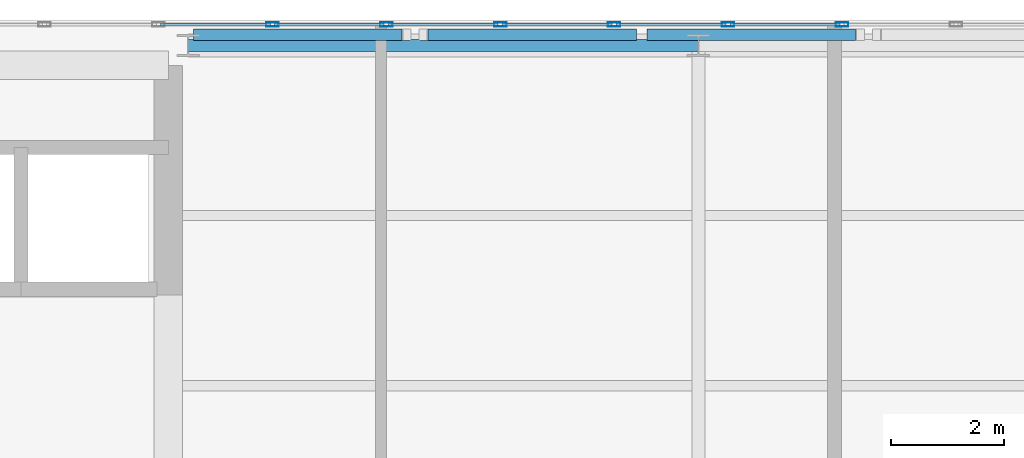
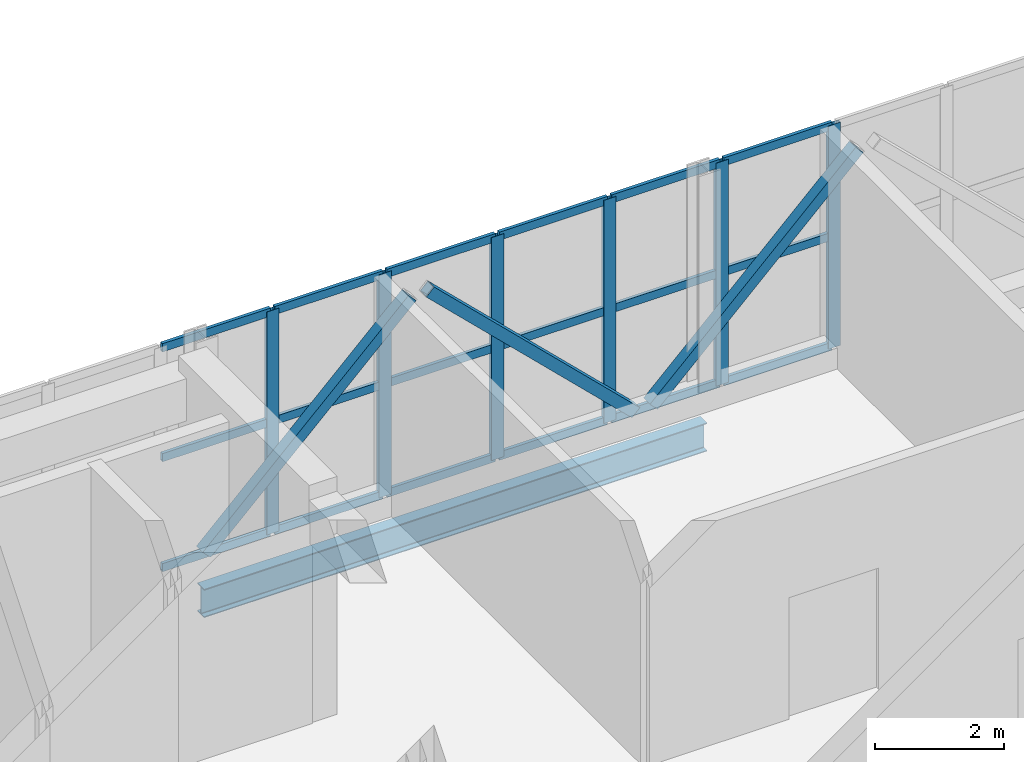
# One storey, part 11 of 21: 27 members, 1 beam, 1 element without a shape of its own.
"""IFC4 building model written with IfcOpenShell, lengths in metres."""

from ifc_helpers import new_model, si_unit, direction, frame, origin, origin_2d, place, context, subcontext, project, spatial, hollow_rectangle, i_section, extrude, material, layer, layer_set, material_profile, profile_set, type_object, element, aggregate, save


model = new_model("IFC4")

# Units and contexts
model_context = context("Model", 3, precision=1e-05, world=origin(), true_north=direction((0.0, 1.0)))
body_context = subcontext(model_context, "Body", "Model", "MODEL_VIEW")
ifc_project = project(units=[si_unit("LENGTHUNIT", "METRE"), si_unit("AREAUNIT", "SQUARE_METRE"), si_unit("VOLUMEUNIT", "CUBIC_METRE"), si_unit("PLANEANGLEUNIT", "RADIAN"), si_unit("MASSUNIT", "GRAM", prefix="KILO")], contexts=[model_context])

# Site, building, storey
site_placement = place(None, origin())
site = spatial("IfcSite", under=ifc_project, at=site_placement, CompositionType="ELEMENT")
building_placement = place(site_placement, origin())
building = spatial("IfcBuilding", under=site, at=building_placement, Name="Mawjdan Bourse Tower", CompositionType="ELEMENT")
storey_placement = place(building_placement, frame((0.0, 0.0, 313.199951171875)))
storey = spatial("IfcBuildingStorey", under=building, at=storey_placement, Name="L77", CompositionType="ELEMENT", Elevation=313.199951171875)

# Members
ifc_material_1 = material(Name="Structural Steel S355", Category="steel")
ifc_material_profile_1 = material_profile(ifc_material_1, hollow_rectangle(XDim=0.199951171875, YDim=0.199951171875, WallThickness=0.010009765625, at=origin_2d()), Name="HSS200X200X10")
ifc_profile_set_1 = profile_set([ifc_material_profile_1], Name="Structural Steel S355")
member_type_1 = type_object("IfcMemberType", Name="BRC-HSS200X200X10", PredefinedType="BRACE", material=ifc_profile_set_1)
for number, where, z_axis, x_axis, name in (
    (1, (24.159912109375, 21.18994140625, 0.199951171875), (0.717762646976, 0.0, 0.696287859011), (0.0, 1.0, 0.0), "L77 Lantern Crown Braced Frame North Diagonal 1"),
    (2, (28.159912109375, 21.18994140625, 3.77001953125), (0.717762646976, 0.0, -0.696287859011), (0.0, 1.0, 0.0), "L77 Lantern Crown Braced Frame North Diagonal 2"),
    (3, (32.159912109375, 21.18994140625, 0.199951171875), (0.717762646976, 0.0, 0.696287859011), (0.0, 1.0, 0.0), "L77 Lantern Crown Braced Frame North Diagonal 3"),
):
    element("IfcMember", number, at=place(storey_placement, frame(where, z_axis=z_axis, x_axis=x_axis)), inside=storey, type_object=member_type_1, Name=name, PredefinedType="BRACE", context=body_context, shape_type="SweptSolid", body=[
        extrude(hollow_rectangle(XDim=0.199951171875, YDim=0.199951171875, WallThickness=0.010009765625, at=origin_2d()), origin(), (0.0, 0.0, 1.0), 5.127197265625),
    ])

# Curtain wall, members
ifc_material_2 = material(Name="Thermally Broken Aluminium and Solar Glass", Category="aluminium")
ifc_layer = layer(ifc_material_2, 0.219970703125)
ifc_layer_set = layer_set([ifc_layer], Name="Thermally Broken Aluminium and Solar Glass")
curtain_wall_type = type_object("IfcCurtainWallType", Name="CW-CRN", PredefinedType="USERDEFINED", material=ifc_layer_set)
curtain_wall_placement = place(storey_placement, origin())
curtain_wall = element("IfcCurtainWall", 4, at=curtain_wall_placement, inside=storey, type_object=curtain_wall_type, Name="L77 Lantern Crown North Curtain Wall", ObjectType="LANTERN GLAZED CROWN", PredefinedType="USERDEFINED")
ifc_material_3 = material(Name="Thermally Broken Anodised Aluminium", Category="aluminium")
ifc_material_profile_2 = material_profile(ifc_material_3, hollow_rectangle(XDim=0.074951171875, YDim=0.219970703125, WallThickness=0.0048828125, at=origin_2d()), Name="ALU-MUL-220X75")
ifc_profile_set_2 = profile_set([ifc_material_profile_2], Name="Thermally Broken Anodised Aluminium")
member_type_2 = type_object("IfcMemberType", Name="MUL-ALU-MUL-220X75", PredefinedType="MULLION", material=ifc_profile_set_2)
member_1_placement = place(storey_placement, frame((35.533447265625, 21.3701171875, 0.0), z_axis=(0.0, 0.0, 1.0), x_axis=(0.0, -1.0, 0.0)))
member_1 = element("IfcMember", 5, at=member_1_placement, type_object=member_type_2, Name="CW-CRN-L77-CRN-N mullion 8", PredefinedType="MULLION", context=body_context, shape_type="SweptSolid", body=[
    extrude(hollow_rectangle(XDim=0.074951171875, YDim=0.219970703125, WallThickness=0.0048828125, at=origin_2d()), origin(), (0.0, 0.0, 1.0), 4.219970703125),
])
member_2_placement = place(storey_placement, frame((33.52392578125, 21.3701171875, 0.0), z_axis=(0.0, 0.0, 1.0), x_axis=(0.0, -1.0, 0.0)))
member_2 = element("IfcMember", 6, at=member_2_placement, type_object=member_type_2, Name="CW-CRN-L77-CRN-N mullion 9", PredefinedType="MULLION", context=body_context, shape_type="SweptSolid", body=[
    extrude(hollow_rectangle(XDim=0.074951171875, YDim=0.219970703125, WallThickness=0.0048828125, at=origin_2d()), origin(), (0.0, 0.0, 1.0), 4.219970703125),
])
member_3_placement = place(storey_placement, frame((31.514404296875, 21.3701171875, 0.0), z_axis=(0.0, 0.0, 1.0), x_axis=(0.0, -1.0, 0.0)))
member_3 = element("IfcMember", 7, at=member_3_placement, type_object=member_type_2, Name="CW-CRN-L77-CRN-N mullion 10", PredefinedType="MULLION", context=body_context, shape_type="SweptSolid", body=[
    extrude(hollow_rectangle(XDim=0.074951171875, YDim=0.219970703125, WallThickness=0.0048828125, at=origin_2d()), origin(), (0.0, 0.0, 1.0), 4.219970703125),
])
member_4_placement = place(storey_placement, frame((29.5048828125, 21.3701171875, 0.0), z_axis=(0.0, 0.0, 1.0), x_axis=(0.0, -1.0, 0.0)))
member_4 = element("IfcMember", 8, at=member_4_placement, type_object=member_type_2, Name="CW-CRN-L77-CRN-N mullion 11", PredefinedType="MULLION", context=body_context, shape_type="SweptSolid", body=[
    extrude(hollow_rectangle(XDim=0.074951171875, YDim=0.219970703125, WallThickness=0.0048828125, at=origin_2d()), origin(), (0.0, 0.0, 1.0), 4.219970703125),
])
member_5_placement = place(storey_placement, frame((27.4951171875, 21.3701171875, 0.0), z_axis=(0.0, 0.0, 1.0), x_axis=(0.0, -1.0, 0.0)))
member_5 = element("IfcMember", 9, at=member_5_placement, type_object=member_type_2, Name="CW-CRN-L77-CRN-N mullion 12", PredefinedType="MULLION", context=body_context, shape_type="SweptSolid", body=[
    extrude(hollow_rectangle(XDim=0.074951171875, YDim=0.219970703125, WallThickness=0.0048828125, at=origin_2d()), origin(), (0.0, 0.0, 1.0), 4.219970703125),
])
member_6_placement = place(storey_placement, frame((25.485595703125, 21.3701171875, 0.0), z_axis=(0.0, 0.0, 1.0), x_axis=(0.0, -1.0, 0.0)))
member_6 = element("IfcMember", 10, at=member_6_placement, type_object=member_type_2, Name="CW-CRN-L77-CRN-N mullion 13", PredefinedType="MULLION", context=body_context, shape_type="SweptSolid", body=[
    extrude(hollow_rectangle(XDim=0.074951171875, YDim=0.219970703125, WallThickness=0.0048828125, at=origin_2d()), origin(), (0.0, 0.0, 1.0), 4.219970703125),
])

# Beam
ifc_material_profile_3 = material_profile(ifc_material_1, i_section(OverallWidth=0.2099609375, OverallDepth=0.537109375, WebThickness=0.010986328125, FlangeThickness=0.017333984375, FilletRadius=0.013916015625, at=origin_2d()), Name="W21X68")
ifc_profile_set_3 = profile_set([ifc_material_profile_3], Name="Structural Steel S355")
beam_type = type_object("IfcBeamType", Name="SPN-W21X68", PredefinedType="SPANDREL", material=ifc_profile_set_3)
beam_placement = place(storey_placement, frame((24.0, 21.0, -0.54833984375), z_axis=(1.0, 0.0, 0.0), x_axis=(0.0, 1.0, 0.0)))
element("IfcBeam", 11, at=beam_placement, inside=storey, type_object=beam_type, Name="L77 Perimeter Masonry-Shelf Spandrel 008", PredefinedType="SPANDREL", context=body_context, shape_type="SweptSolid", body=[
    extrude(i_section(OverallWidth=0.2099609375, OverallDepth=0.537109375, WebThickness=0.010986328125, FlangeThickness=0.017333984375, FilletRadius=0.013916015625, at=origin_2d()), origin(), (0.0, 0.0, 1.0), 9.0),
])

# Member
ifc_material_profile_4 = material_profile(ifc_material_3, hollow_rectangle(XDim=0.06005859375, YDim=0.155029296875, WallThickness=0.00390625, at=origin_2d()), Name="ALU-TRN-155X60")
ifc_profile_set_4 = profile_set([ifc_material_profile_4], Name="Thermally Broken Anodised Aluminium")
member_type_3 = type_object("IfcMemberType", Name="TRN-ALU-TRN-155X60", PredefinedType="USERDEFINED", material=ifc_profile_set_4)
member_7_placement = place(storey_placement, frame((35.495849609375, 21.3701171875, 0.030029296875), z_axis=(-1.0, 0.0, 0.0), x_axis=(0.0, -1.0, 0.0)))
member_7 = element("IfcMember", 12, at=member_7_placement, type_object=member_type_3, Name="CW-CRN-L77-CRN-N transom 8.1", ObjectType="TRANSOM", PredefinedType="USERDEFINED", context=body_context, shape_type="SweptSolid", body=[
    extrude(hollow_rectangle(XDim=0.06005859375, YDim=0.155029296875, WallThickness=0.00390625, at=origin_2d()), origin(), (0.0, 0.0, 1.0), 1.9345703125),
])

member_8_placement = place(storey_placement, frame((35.495849609375, 21.3701171875, 2.110107421875), z_axis=(-1.0, 0.0, 0.0), x_axis=(0.0, -1.0, 0.0)))
member_8 = element("IfcMember", 13, at=member_8_placement, type_object=member_type_3, Name="CW-CRN-L77-CRN-N transom 8.2", ObjectType="TRANSOM", PredefinedType="USERDEFINED", context=body_context, shape_type="SweptSolid", body=[
    extrude(hollow_rectangle(XDim=0.06005859375, YDim=0.155029296875, WallThickness=0.00390625, at=origin_2d()), origin(), (0.0, 0.0, 1.0), 1.9345703125),
])

member_9_placement = place(storey_placement, frame((35.495849609375, 21.3701171875, 4.18994140625), z_axis=(-1.0, 0.0, 0.0), x_axis=(0.0, -1.0, 0.0)))
member_9 = element("IfcMember", 14, at=member_9_placement, type_object=member_type_3, Name="CW-CRN-L77-CRN-N transom 8.3", ObjectType="TRANSOM", PredefinedType="USERDEFINED", context=body_context, shape_type="SweptSolid", body=[
    extrude(hollow_rectangle(XDim=0.06005859375, YDim=0.155029296875, WallThickness=0.00390625, at=origin_2d()), origin(), (0.0, 0.0, 1.0), 1.9345703125),
])

member_10_placement = place(storey_placement, frame((33.486328125, 21.3701171875, 0.030029296875), z_axis=(-1.0, 0.0, 0.0), x_axis=(0.0, -1.0, 0.0)))
member_10 = element("IfcMember", 15, at=member_10_placement, type_object=member_type_3, Name="CW-CRN-L77-CRN-N transom 9.1", ObjectType="TRANSOM", PredefinedType="USERDEFINED", context=body_context, shape_type="SweptSolid", body=[
    extrude(hollow_rectangle(XDim=0.06005859375, YDim=0.155029296875, WallThickness=0.00390625, at=origin_2d()), origin(), (0.0, 0.0, 1.0), 1.9345703125),
])

member_11_placement = place(storey_placement, frame((33.486328125, 21.3701171875, 2.110107421875), z_axis=(-1.0, 0.0, 0.0), x_axis=(0.0, -1.0, 0.0)))
member_11 = element("IfcMember", 16, at=member_11_placement, type_object=member_type_3, Name="CW-CRN-L77-CRN-N transom 9.2", ObjectType="TRANSOM", PredefinedType="USERDEFINED", context=body_context, shape_type="SweptSolid", body=[
    extrude(hollow_rectangle(XDim=0.06005859375, YDim=0.155029296875, WallThickness=0.00390625, at=origin_2d()), origin(), (0.0, 0.0, 1.0), 1.9345703125),
])

member_12_placement = place(storey_placement, frame((33.486328125, 21.3701171875, 4.18994140625), z_axis=(-1.0, 0.0, 0.0), x_axis=(0.0, -1.0, 0.0)))
member_12 = element("IfcMember", 17, at=member_12_placement, type_object=member_type_3, Name="CW-CRN-L77-CRN-N transom 9.3", ObjectType="TRANSOM", PredefinedType="USERDEFINED", context=body_context, shape_type="SweptSolid", body=[
    extrude(hollow_rectangle(XDim=0.06005859375, YDim=0.155029296875, WallThickness=0.00390625, at=origin_2d()), origin(), (0.0, 0.0, 1.0), 1.9345703125),
])

member_13_placement = place(storey_placement, frame((31.476806640625, 21.3701171875, 0.030029296875), z_axis=(-1.0, 0.0, 0.0), x_axis=(0.0, -1.0, 0.0)))
member_13 = element("IfcMember", 18, at=member_13_placement, type_object=member_type_3, Name="CW-CRN-L77-CRN-N transom 10.1", ObjectType="TRANSOM", PredefinedType="USERDEFINED", context=body_context, shape_type="SweptSolid", body=[
    extrude(hollow_rectangle(XDim=0.06005859375, YDim=0.155029296875, WallThickness=0.00390625, at=origin_2d()), origin(), (0.0, 0.0, 1.0), 1.9345703125),
])

member_14_placement = place(storey_placement, frame((31.476806640625, 21.3701171875, 2.110107421875), z_axis=(-1.0, 0.0, 0.0), x_axis=(0.0, -1.0, 0.0)))
member_14 = element("IfcMember", 19, at=member_14_placement, type_object=member_type_3, Name="CW-CRN-L77-CRN-N transom 10.2", ObjectType="TRANSOM", PredefinedType="USERDEFINED", context=body_context, shape_type="SweptSolid", body=[
    extrude(hollow_rectangle(XDim=0.06005859375, YDim=0.155029296875, WallThickness=0.00390625, at=origin_2d()), origin(), (0.0, 0.0, 1.0), 1.9345703125),
])

member_15_placement = place(storey_placement, frame((31.476806640625, 21.3701171875, 4.18994140625), z_axis=(-1.0, 0.0, 0.0), x_axis=(0.0, -1.0, 0.0)))
member_15 = element("IfcMember", 20, at=member_15_placement, type_object=member_type_3, Name="CW-CRN-L77-CRN-N transom 10.3", ObjectType="TRANSOM", PredefinedType="USERDEFINED", context=body_context, shape_type="SweptSolid", body=[
    extrude(hollow_rectangle(XDim=0.06005859375, YDim=0.155029296875, WallThickness=0.00390625, at=origin_2d()), origin(), (0.0, 0.0, 1.0), 1.9345703125),
])

member_16_placement = place(storey_placement, frame((29.46728515625, 21.3701171875, 0.030029296875), z_axis=(-1.0, 0.0, 0.0), x_axis=(0.0, -1.0, 0.0)))
member_16 = element("IfcMember", 21, at=member_16_placement, type_object=member_type_3, Name="CW-CRN-L77-CRN-N transom 11.1", ObjectType="TRANSOM", PredefinedType="USERDEFINED", context=body_context, shape_type="SweptSolid", body=[
    extrude(hollow_rectangle(XDim=0.06005859375, YDim=0.155029296875, WallThickness=0.00390625, at=origin_2d()), origin(), (0.0, 0.0, 1.0), 1.9345703125),
])

member_17_placement = place(storey_placement, frame((29.46728515625, 21.3701171875, 2.110107421875), z_axis=(-1.0, 0.0, 0.0), x_axis=(0.0, -1.0, 0.0)))
member_17 = element("IfcMember", 22, at=member_17_placement, type_object=member_type_3, Name="CW-CRN-L77-CRN-N transom 11.2", ObjectType="TRANSOM", PredefinedType="USERDEFINED", context=body_context, shape_type="SweptSolid", body=[
    extrude(hollow_rectangle(XDim=0.06005859375, YDim=0.155029296875, WallThickness=0.00390625, at=origin_2d()), origin(), (0.0, 0.0, 1.0), 1.9345703125),
])

member_18_placement = place(storey_placement, frame((29.46728515625, 21.3701171875, 4.18994140625), z_axis=(-1.0, 0.0, 0.0), x_axis=(0.0, -1.0, 0.0)))
member_18 = element("IfcMember", 23, at=member_18_placement, type_object=member_type_3, Name="CW-CRN-L77-CRN-N transom 11.3", ObjectType="TRANSOM", PredefinedType="USERDEFINED", context=body_context, shape_type="SweptSolid", body=[
    extrude(hollow_rectangle(XDim=0.06005859375, YDim=0.155029296875, WallThickness=0.00390625, at=origin_2d()), origin(), (0.0, 0.0, 1.0), 1.9345703125),
])

member_19_placement = place(storey_placement, frame((27.457763671875, 21.3701171875, 0.030029296875), z_axis=(-1.0, 0.0, 0.0), x_axis=(0.0, -1.0, 0.0)))
member_19 = element("IfcMember", 24, at=member_19_placement, type_object=member_type_3, Name="CW-CRN-L77-CRN-N transom 12.1", ObjectType="TRANSOM", PredefinedType="USERDEFINED", context=body_context, shape_type="SweptSolid", body=[
    extrude(hollow_rectangle(XDim=0.06005859375, YDim=0.155029296875, WallThickness=0.00390625, at=origin_2d()), origin(), (0.0, 0.0, 1.0), 1.9345703125),
])

member_20_placement = place(storey_placement, frame((27.457763671875, 21.3701171875, 2.110107421875), z_axis=(-1.0, 0.0, 0.0), x_axis=(0.0, -1.0, 0.0)))
member_20 = element("IfcMember", 25, at=member_20_placement, type_object=member_type_3, Name="CW-CRN-L77-CRN-N transom 12.2", ObjectType="TRANSOM", PredefinedType="USERDEFINED", context=body_context, shape_type="SweptSolid", body=[
    extrude(hollow_rectangle(XDim=0.06005859375, YDim=0.155029296875, WallThickness=0.00390625, at=origin_2d()), origin(), (0.0, 0.0, 1.0), 1.9345703125),
])

member_21_placement = place(storey_placement, frame((27.457763671875, 21.3701171875, 4.18994140625), z_axis=(-1.0, 0.0, 0.0), x_axis=(0.0, -1.0, 0.0)))
member_21 = element("IfcMember", 26, at=member_21_placement, type_object=member_type_3, Name="CW-CRN-L77-CRN-N transom 12.3", ObjectType="TRANSOM", PredefinedType="USERDEFINED", context=body_context, shape_type="SweptSolid", body=[
    extrude(hollow_rectangle(XDim=0.06005859375, YDim=0.155029296875, WallThickness=0.00390625, at=origin_2d()), origin(), (0.0, 0.0, 1.0), 1.9345703125),
])

member_22_placement = place(storey_placement, frame((25.4482421875, 21.3701171875, 0.030029296875), z_axis=(-1.0, 0.0, 0.0), x_axis=(0.0, -1.0, 0.0)))
member_22 = element("IfcMember", 27, at=member_22_placement, type_object=member_type_3, Name="CW-CRN-L77-CRN-N transom 13.1", ObjectType="TRANSOM", PredefinedType="USERDEFINED", context=body_context, shape_type="SweptSolid", body=[
    extrude(hollow_rectangle(XDim=0.06005859375, YDim=0.155029296875, WallThickness=0.00390625, at=origin_2d()), origin(), (0.0, 0.0, 1.0), 1.9345703125),
])

member_23_placement = place(storey_placement, frame((25.4482421875, 21.3701171875, 2.110107421875), z_axis=(-1.0, 0.0, 0.0), x_axis=(0.0, -1.0, 0.0)))
member_23 = element("IfcMember", 28, at=member_23_placement, type_object=member_type_3, Name="CW-CRN-L77-CRN-N transom 13.2", ObjectType="TRANSOM", PredefinedType="USERDEFINED", context=body_context, shape_type="SweptSolid", body=[
    extrude(hollow_rectangle(XDim=0.06005859375, YDim=0.155029296875, WallThickness=0.00390625, at=origin_2d()), origin(), (0.0, 0.0, 1.0), 1.9345703125),
])

member_24_placement = place(storey_placement, frame((25.4482421875, 21.3701171875, 4.18994140625), z_axis=(-1.0, 0.0, 0.0), x_axis=(0.0, -1.0, 0.0)))
member_24 = element("IfcMember", 29, at=member_24_placement, type_object=member_type_3, Name="CW-CRN-L77-CRN-N transom 13.3", ObjectType="TRANSOM", PredefinedType="USERDEFINED", context=body_context, shape_type="SweptSolid", body=[
    extrude(hollow_rectangle(XDim=0.06005859375, YDim=0.155029296875, WallThickness=0.00390625, at=origin_2d()), origin(), (0.0, 0.0, 1.0), 1.9345703125),
])

aggregate(curtain_wall, [member_1, member_2, member_3, member_4, member_5, member_6, member_7, member_8, member_9, member_10, member_11, member_12, member_13, member_14, member_15, member_16, member_17, member_18, member_19, member_20, member_21, member_22, member_23, member_24])

save(model, "model.ifc")
